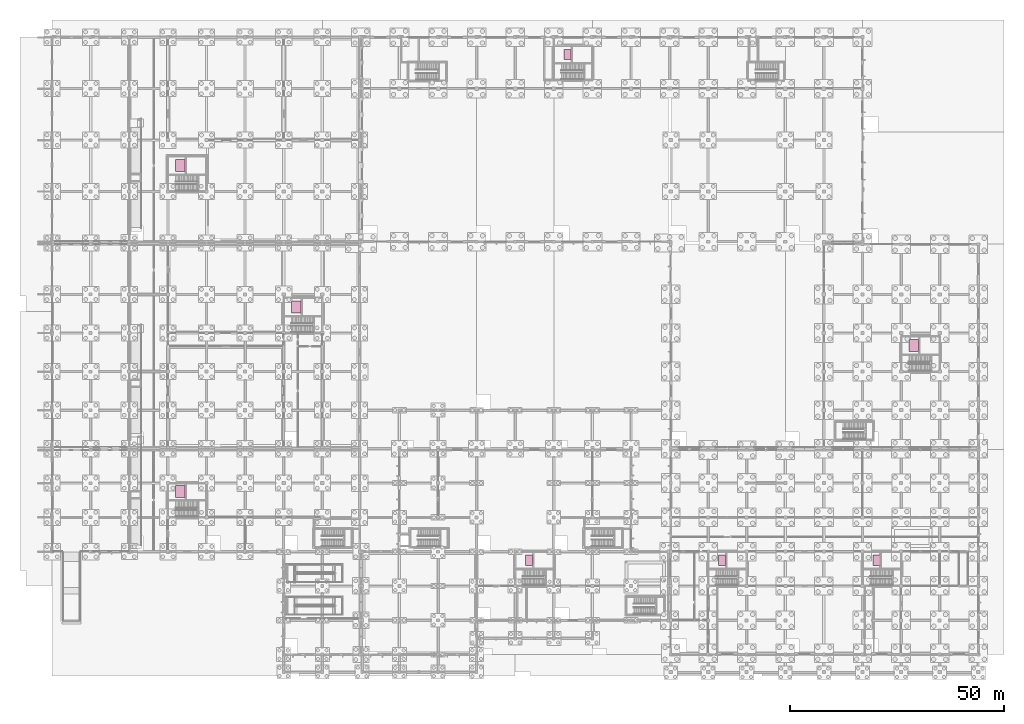
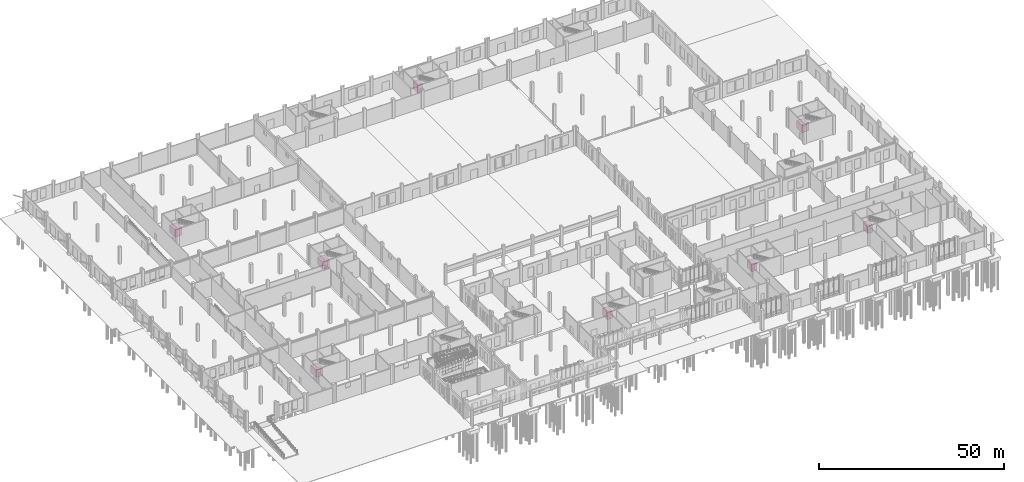
# One storey, part 99 of 99: 8 transport elements.
"""IFC4 building model written with IfcOpenShell, lengths in metres."""

from ifc_helpers import new_model, si_unit, direction, frame, origin, origin_2d, place, context, subcontext, project, spatial, rectangle, extrude, material, type_object, element, save


model = new_model("IFC4")

# Units and contexts
model_context = context("Model", 3, precision=1e-05, world=origin(), true_north=direction((0.0, 1.0)))
body_context = subcontext(model_context, "Body", "Model", "MODEL_VIEW")
ifc_project = project(units=[si_unit("LENGTHUNIT", "METRE"), si_unit("AREAUNIT", "SQUARE_METRE"), si_unit("VOLUMEUNIT", "CUBIC_METRE"), si_unit("PLANEANGLEUNIT", "RADIAN"), si_unit("MASSUNIT", "GRAM", prefix="KILO")], contexts=[model_context])

# Site, building, storey
site_placement = place(None, origin())
site = spatial("IfcSite", under=ifc_project, at=site_placement, CompositionType="ELEMENT")
building_placement = place(site_placement, origin())
building = spatial("IfcBuilding", under=site, at=building_placement, Name="Zacnel Wholesale Market", CompositionType="ELEMENT")
storey_placement = place(building_placement, origin())
storey = spatial("IfcBuildingStorey", under=building, at=storey_placement, Name="L01", CompositionType="ELEMENT", Elevation=0.0)

# Transport elements
ifc_material_1 = material(Name="Galvanized steel", Category="steel")
transport_element_type_1 = type_object("IfcTransportElementType", Name="LFT-GOODS-2200X2800", PredefinedType="ELEVATOR", material=ifc_material_1)
for number, where, z_axis, x_axis, name in (
    (1, (29.925048828125, 37.97509765625, 0.0), (0.0, 0.0, 1.0), (1.0, 0.0, 0.0), "Elevator car LG-01"),
    (2, (56.925048828125, 81.074951171875, 0.0), (0.0, 0.0, 1.0), (1.0, 0.0, 0.0), "Elevator car LG-02"),
    (3, (29.925048828125, 114.074951171875, 0.0), (0.0, 0.0, 1.0), (1.0, 0.0, 0.0), "Elevator car LG-03"),
    (4, (200.925048828125, 72.074951171875, 0.0), (0.0, 0.0, 1.0), (1.0, 0.0, 0.0), "Elevator car LG-04"),
):
    element("IfcTransportElement", number, at=place(storey_placement, frame(where, z_axis=z_axis, x_axis=x_axis)), inside=storey, type_object=transport_element_type_1, Name=name, PredefinedType="ELEVATOR", context=body_context, shape_type="SweptSolid", body=[
        extrude(rectangle(XDim=2.199951171875, YDim=2.800048828125, at=origin_2d()), origin(), (0.0, 0.0, 1.0), 2.39990234375),
    ])
ifc_material_2 = material(Name="Galvanized steel", Category="steel")
transport_element_type_2 = type_object("IfcTransportElementType", Name="LFT-PASS-1600X2400", PredefinedType="ELEVATOR", material=ifc_material_2)
for number, where, z_axis, x_axis, name in (
    (5, (156.22509765625, 21.97509765625, 0.0), (0.0, 0.0, 1.0), (1.0, 0.0, 0.0), "Elevator car LP-01"),
    (6, (192.22509765625, 21.97509765625, 0.0), (0.0, 0.0, 1.0), (1.0, 0.0, 0.0), "Elevator car LP-02"),
    (7, (120.22509765625, 139.97509765625, 0.0), (0.0, 0.0, 1.0), (1.0, 0.0, 0.0), "Elevator car LP-03"),
    (8, (111.22509765625, 21.97509765625, 0.0), (0.0, 0.0, 1.0), (1.0, 0.0, 0.0), "Elevator car LP-04"),
):
    element("IfcTransportElement", number, at=place(storey_placement, frame(where, z_axis=z_axis, x_axis=x_axis)), inside=storey, type_object=transport_element_type_2, Name=name, PredefinedType="ELEVATOR", context=body_context, shape_type="SweptSolid", body=[
        extrude(rectangle(XDim=1.60009765625, YDim=2.39990234375, at=origin_2d()), origin(), (0.0, 0.0, 1.0), 2.39990234375),
    ])

save(model, "model.ifc")
